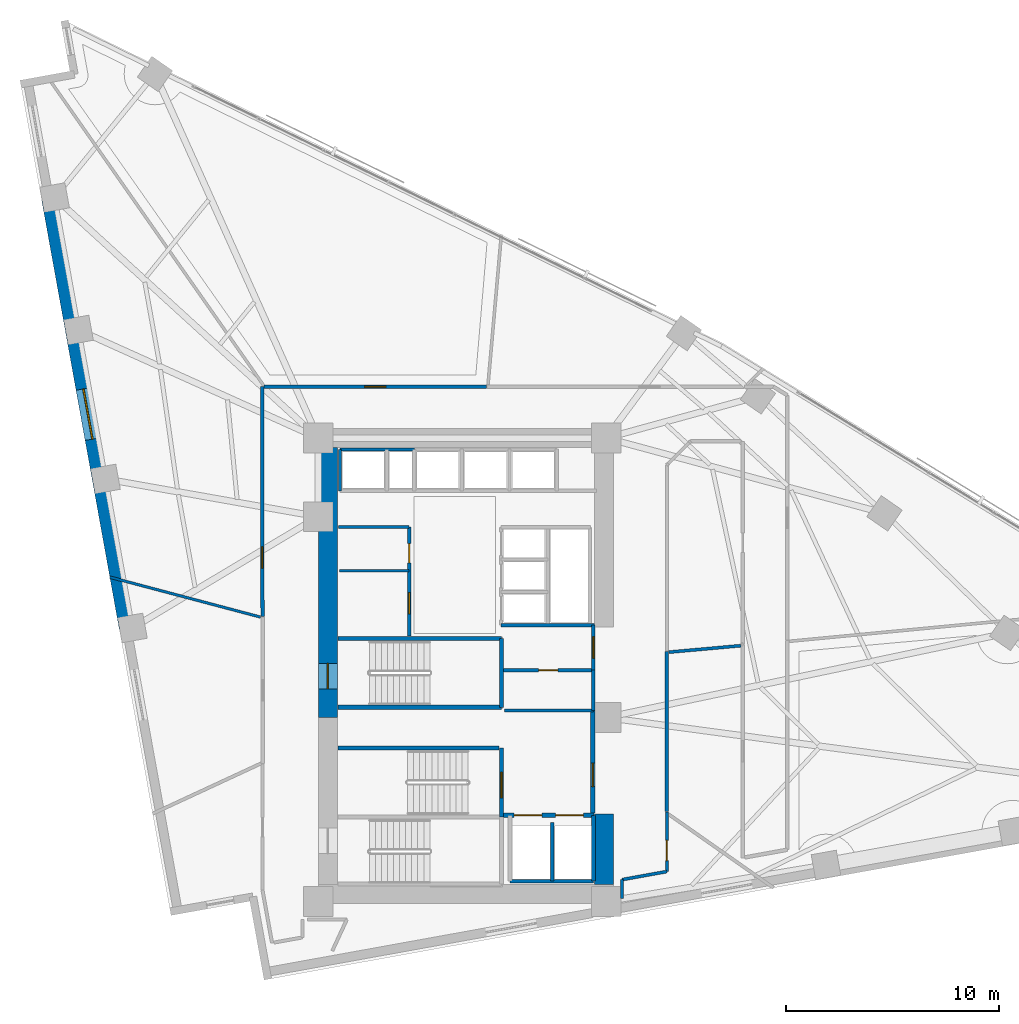
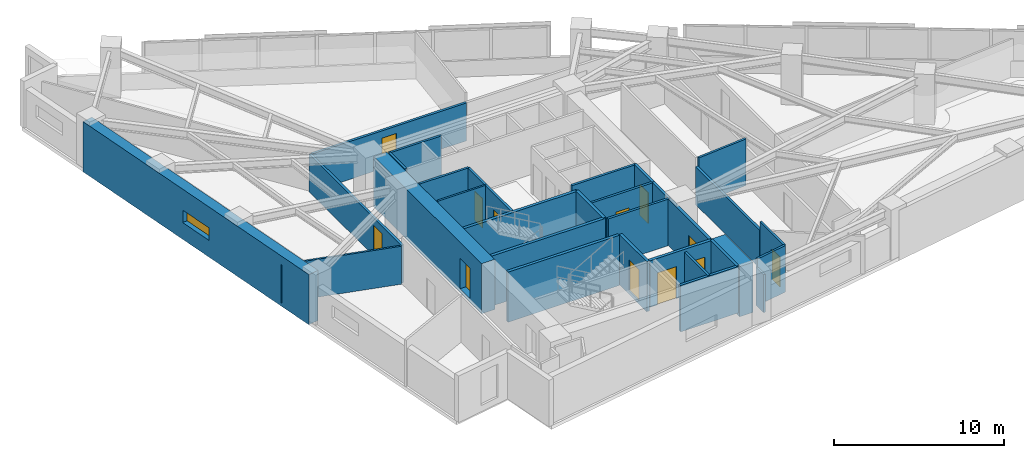
# One storey, part 13 of 18: 31 walls, 12 doors, 1 window, 13 openings.
"""IFC4 building model written with IfcOpenShell, lengths in metres."""

from ifc_helpers import new_model, si_unit, direction, frame, frame_2d, origin, place, context, subcontext, project, spatial, rectangle, extrude, material, layer, layer_set, type_object, element, fill, save


model = new_model("IFC4")

# Units and contexts
model_context = context("Model", 3, precision=1e-05, world=origin(), true_north=direction((0.0, 1.0)))
body_context = subcontext(model_context, "Body", "Model", "MODEL_VIEW")
ifc_project = project(units=[si_unit("LENGTHUNIT", "METRE"), si_unit("AREAUNIT", "SQUARE_METRE"), si_unit("VOLUMEUNIT", "CUBIC_METRE"), si_unit("PLANEANGLEUNIT", "RADIAN"), si_unit("MASSUNIT", "GRAM", prefix="KILO")], contexts=[model_context])

# Site, building, storey
site_placement = place(None, origin())
site = spatial("IfcSite", under=ifc_project, at=site_placement, CompositionType="ELEMENT")
building_placement = place(site_placement, origin())
building = spatial("IfcBuilding", under=site, at=building_placement, Name="Narakoshi Arena Tower", CompositionType="ELEMENT")
storey_placement = place(building_placement, frame((0.0, 0.0, 102.89990234375)))
storey = spatial("IfcBuildingStorey", under=building, at=storey_placement, Name="L27", CompositionType="ELEMENT", Elevation=102.89990234375)

# Wall
ifc_material_1 = material(Name="Concrete C60/75", Category="concrete")
ifc_layer_1 = layer(ifc_material_1, 0.89990234375)
ifc_layer_set_1 = layer_set([ifc_layer_1], Name="Concrete C60/75")
wall_type_1 = type_object("IfcWallType", Name="WL-CORE-900", PredefinedType="SHEAR", material=ifc_layer_set_1)
wall_1_placement = place(storey_placement, frame((85.449951171875, 35.5, -0.260009765625), z_axis=(0.0, 0.0, 1.0), x_axis=(0.0, 1.0, 0.0)))
element("IfcWall", 1, at=wall_1_placement, inside=storey, type_object=wall_type_1, Name="L27 Central Core Shear Wall CW-APX-E", PredefinedType="SHEAR", context=body_context, shape_type="SweptSolid", body=[
    extrude(rectangle(XDim=3.300048828125, YDim=0.89990234375, at=frame_2d((1.64990234375, 0.0))), origin(), (0.0, 0.0, 1.0), 3.60009765625),
])

# Wall, opening, door
wall_2_placement = place(storey_placement, frame((72.449951171875, 43.35009765625, -0.260009765625), z_axis=(0.0, 0.0, 1.0), x_axis=(0.0, 1.0, 0.0)))
wall_2 = element("IfcWall", 2, at=wall_2_placement, inside=storey, type_object=wall_type_1, Name="L27 Main Core Shear Wall CW-MN-W", PredefinedType="SHEAR", context=body_context, shape_type="SweptSolid", body=[
    extrude(rectangle(XDim=12.699951171875, YDim=0.89990234375, at=frame_2d((6.35009765625, 0.0))), origin(), (0.0, 0.0, 1.0), 3.60009765625),
])
opening_1_placement = place(wall_2_placement, frame((1.35009765625, 0.0, 0.260009765625)))
opening_1 = element("IfcOpeningElement", 3, at=opening_1_placement, cuts=wall_2, Name="Opening D-03", PredefinedType="OPENING", context=body_context, shape_type="SweptSolid", body=[
    extrude(rectangle(XDim=1.199951171875, YDim=2.199951171875, at=frame_2d((0.60009765625, 1.10009765625))), frame((0.0, 0.4599609375, 0.0), z_axis=(0.0, -1.0, 0.0), x_axis=(1.0, 0.0, 0.0)), (0.0, 0.0, 1.0), 0.919921875),
])
ifc_material_2 = material(Name="Painted galvanized steel", Category="steel")
door_type_1 = type_object("IfcDoorType", Name="DR-STR-1200", OperationType="NOTDEFINED", PredefinedType="USERDEFINED", material=ifc_material_2)
door_1_placement = place(opening_1_placement, frame((1.199951171875, 0.0, 0.0), z_axis=(0.0, 0.0, 1.0), x_axis=(-1.0, 0.0, 0.0)))
door_1 = element("IfcDoor", 4, at=door_1_placement, inside=storey, type_object=door_type_1, Name="DR-L27-007", ObjectType="EXITDOOR", OperationType="SINGLE_SWING_LEFT", OverallHeight=2.199951171875, OverallWidth=1.199951171875, PredefinedType="USERDEFINED", context=body_context, shape_type="SweptSolid", body=[
    extrude(rectangle(XDim=1.199951171875, YDim=2.199951171875, at=frame_2d((0.60009765625, 1.10009765625))), frame((0.0, 0.02490234375, 0.0), z_axis=(0.0, -1.0, 0.0), x_axis=(1.0, 0.0, 0.0)), (0.0, 0.0, 1.0), 0.050048828125),
])
fill(opening_1, door_1)

ifc_material_3 = material(Name="Gypsum plasterboard fire-rated partition")
ifc_layer_2 = layer(ifc_material_3, 0.1650390625)
ifc_layer_set_2 = layer_set([ifc_layer_2], Name="Gypsum plasterboard fire-rated partition")
wall_type_2 = type_object("IfcWallType", Name="WL-CORR-165", PredefinedType="PARTITIONING", material=ifc_layer_set_2)
wall_3_placement = place(storey_placement, frame((84.949951171875, 45.580078125, 0.0), z_axis=(0.0, 0.0, 1.0), x_axis=(0.0, 1.0, 0.0)))
wall_3 = element("IfcWall", 5, at=wall_3_placement, inside=storey, type_object=wall_type_2, Name="L27 Core Wall CPAS-E", PredefinedType="PARTITIONING", context=body_context, shape_type="SweptSolid", body=[
    extrude(rectangle(XDim=2.119873046875, YDim=0.1650390625, at=frame_2d((1.06005859375, 0.0))), origin(), (0.0, 0.0, 1.0), 3.340087890625),
])
opening_2_placement = place(wall_3_placement, frame((0.56005859375, 0.0, 0.0)))
opening_2 = element("IfcOpeningElement", 6, at=opening_2_placement, cuts=wall_3, Name="Opening D-06", PredefinedType="OPENING", context=body_context, shape_type="SweptSolid", body=[
    extrude(rectangle(XDim=1.0, YDim=2.199951171875, at=frame_2d((0.5, 1.10009765625))), frame((0.0, 0.092529296875, 0.0), z_axis=(0.0, -1.0, 0.0), x_axis=(1.0, 0.0, 0.0)), (0.0, 0.0, 1.0), 0.18505859375),
])
ifc_material_4 = material(Name="Stained oak solid-core timber", Category="wood")
door_type_2 = type_object("IfcDoorType", Name="DR-OFF-1000", OperationType="NOTDEFINED", PredefinedType="DOOR", material=ifc_material_4)
door_2_placement = place(opening_2_placement, frame((1.0, 0.0, 0.0), z_axis=(0.0, 0.0, 1.0), x_axis=(-1.0, 0.0, 0.0)))
door_2 = element("IfcDoor", 7, at=door_2_placement, inside=storey, type_object=door_type_2, Name="DR-L27-008", OperationType="SINGLE_SWING_LEFT", OverallHeight=2.199951171875, OverallWidth=1.0, PredefinedType="DOOR", context=body_context, shape_type="SweptSolid", body=[
    extrude(rectangle(XDim=1.0, YDim=2.199951171875, at=frame_2d((0.5, 1.10009765625))), frame((0.0, 0.02490234375, 0.0), z_axis=(0.0, -1.0, 0.0), x_axis=(1.0, 0.0, 0.0)), (0.0, 0.0, 1.0), 0.050048828125),
])
fill(opening_2, door_2)

# Wall
wall_4_placement = place(storey_placement, frame((88.39990234375, 38.929931640625, 0.0), z_axis=(0.0, 0.0, 1.0), x_axis=(0.0, 1.0, 0.0)))
element("IfcWall", 8, at=wall_4_placement, inside=storey, type_object=wall_type_2, Name="L27 Corridor Partition 04-3", PredefinedType="PARTITIONING", context=body_context, shape_type="SweptSolid", body=[
    extrude(rectangle(XDim=7.523193359375, YDim=0.1650390625, at=frame_2d((3.76171875, 0.0))), origin(), (0.0, 0.0, 1.0), 2.72509765625),
])

# Wall, opening, door
wall_5_placement = place(storey_placement, frame((79.918212890625, 58.9189453125, 0.0), z_axis=(0.0, 0.0, 1.0), x_axis=(-1.0, 0.0, 0.0)))
wall_5 = element("IfcWall", 9, at=wall_5_placement, inside=storey, type_object=wall_type_2, Name="L27 Corridor Partition 08-1", PredefinedType="PARTITIONING", context=body_context, shape_type="SweptSolid", body=[
    extrude(rectangle(XDim=10.481689453125, YDim=0.1650390625, at=frame_2d((5.24072265625, 0.0))), origin(), (0.0, 0.0, 1.0), 2.72509765625),
])
opening_3_placement = place(wall_5_placement, frame((4.74072265625, 0.0, 0.0)))
opening_3 = element("IfcOpeningElement", 10, at=opening_3_placement, cuts=wall_5, Name="Opening D-06", PredefinedType="OPENING", context=body_context, shape_type="SweptSolid", body=[
    extrude(rectangle(XDim=1.0, YDim=2.199951171875, at=frame_2d((0.5, 1.10009765625))), frame((0.0, 0.092529296875, 0.0), z_axis=(0.0, -1.0, 0.0), x_axis=(1.0, 0.0, 0.0)), (0.0, 0.0, 1.0), 0.18505859375),
])
door_3_placement = place(opening_3_placement, frame((1.0, 0.0, 0.0), z_axis=(0.0, 0.0, 1.0), x_axis=(-1.0, 0.0, 0.0)))
door_3 = element("IfcDoor", 11, at=door_3_placement, inside=storey, type_object=door_type_2, Name="DR-L27-022", OperationType="SINGLE_SWING_RIGHT", OverallHeight=2.199951171875, OverallWidth=1.0, PredefinedType="DOOR", context=body_context, shape_type="SweptSolid", body=[
    extrude(rectangle(XDim=1.0, YDim=2.199951171875, at=frame_2d((0.5, 1.10009765625))), frame((0.0, 0.02490234375, 0.0), z_axis=(0.0, -1.0, 0.0), x_axis=(1.0, 0.0, 0.0)), (0.0, 0.0, 1.0), 0.050048828125),
])
fill(opening_3, door_3)

wall_6_placement = place(storey_placement, frame((69.365478515625, 58.93408203125, 0.0), z_axis=(0.0, 0.0, 1.0), x_axis=(0.000992532953, -0.999999507439, 0.0)))
wall_6 = element("IfcWall", 12, at=wall_6_placement, inside=storey, type_object=wall_type_2, Name="L27 Corridor Partition 09-1", PredefinedType="PARTITIONING", context=body_context, shape_type="SweptSolid", body=[
    extrude(rectangle(XDim=10.822998046875, YDim=0.1650390625, at=frame_2d((5.41162109375, 0.0))), origin(), (0.0, 0.0, 1.0), 2.72509765625),
])
opening_4_placement = place(wall_6_placement, frame((7.5498046875, 0.0, 0.0)))
opening_4 = element("IfcOpeningElement", 13, at=opening_4_placement, cuts=wall_6, Name="Opening D-06", PredefinedType="OPENING", context=body_context, shape_type="SweptSolid", body=[
    extrude(rectangle(XDim=1.0, YDim=2.199951171875, at=frame_2d((0.5, 1.10009765625))), frame((0.0, 0.092529296875, 0.0), z_axis=(0.0, -1.0, 0.0), x_axis=(1.0, 0.0, 0.0)), (0.0, 0.0, 1.0), 0.18505859375),
])
door_4_placement = place(opening_4_placement, frame((1.0, 0.0, 0.0), z_axis=(0.0, 0.0, 1.0), x_axis=(-1.0, 0.0, 0.0)))
door_4 = element("IfcDoor", 14, at=door_4_placement, inside=storey, type_object=door_type_2, Name="DR-L27-023", OperationType="SINGLE_SWING_LEFT", OverallHeight=2.199951171875, OverallWidth=1.0, PredefinedType="DOOR", context=body_context, shape_type="SweptSolid", body=[
    extrude(rectangle(XDim=1.0, YDim=2.199951171875, at=frame_2d((0.5, 1.10009765625))), frame((0.0, 0.02490234375, 0.0), z_axis=(0.0, -1.0, 0.0), x_axis=(1.0, 0.0, 0.0)), (0.0, 0.0, 1.0), 0.050048828125),
])
fill(opening_4, door_4)

# Wall, opening, window
ifc_layer_3 = layer(ifc_material_1, 0.699951171875)
ifc_layer_set_3 = layer_set([ifc_layer_3], Name="Concrete C60/75")
wall_type_3 = type_object("IfcWallType", Name="WL-LEG-700", PredefinedType="SHEAR", material=ifc_layer_set_3)
wall_7_placement = place(storey_placement, frame((59.327880859375, 67.767822265625, -0.260009765625), z_axis=(0.0, 0.0, 1.0), x_axis=(0.177933213615, -0.984042565895, 0.0)))
wall_7 = element("IfcWall", 15, at=wall_7_placement, inside=storey, type_object=wall_type_3, Name="L27 Architectural Concrete Structural Wall LEGB-2", PredefinedType="SHEAR", context=body_context, shape_type="SweptSolid", body=[
    extrude(rectangle(XDim=20.57861328125, YDim=0.699951171875, at=frame_2d((10.289306640625, 0.0))), origin(), (0.0, 0.0, 1.0), 3.60009765625),
])
opening_5_placement = place(wall_7_placement, frame((9.10009765625, 0.0, 1.199951171875)))
opening_5 = element("IfcOpeningElement", 16, at=opening_5_placement, cuts=wall_7, Name="Opening WN-01", PredefinedType="OPENING", context=body_context, shape_type="SweptSolid", body=[
    extrude(rectangle(XDim=2.39990234375, YDim=0.89990234375, at=frame_2d((1.199951171875, 0.449951171875))), frame((0.0, 0.35986328125, 0.0), z_axis=(0.0, -1.0, 0.0), x_axis=(1.0, 0.0, 0.0)), (0.0, 0.0, 1.0), 0.719970703125),
])
ifc_material_5 = material(Name="Bronze-tinted low-E laminated glass", Category="glass")
window_type = type_object("IfcWindowType", Name="WIN-SLT-24x09", PartitioningType="SINGLE_PANEL", PredefinedType="WINDOW", material=ifc_material_5)
window_placement = place(opening_5_placement, origin())
window = element("IfcWindow", 17, at=window_placement, inside=storey, type_object=window_type, Name="L27 LEGB2 Horizontal Slot Window 1", OverallHeight=0.89990234375, OverallWidth=2.39990234375, PartitioningType="SINGLE_PANEL", PredefinedType="WINDOW", context=body_context, shape_type="SweptSolid", body=[
    extrude(rectangle(XDim=2.39990234375, YDim=0.89990234375, at=frame_2d((1.199951171875, 0.449951171875))), frame((0.0, 0.030029296875, 0.0), z_axis=(0.0, -1.0, 0.0), x_axis=(1.0, 0.0, 0.0)), (0.0, 0.0, 1.0), 0.06005859375),
])
fill(opening_5, window)

# Walls
ifc_layer_4 = layer(ifc_material_3, 0.125)
ifc_layer_set_4 = layer_set([ifc_layer_4], Name="Gypsum plasterboard fire-rated partition")
wall_type_4 = type_object("IfcWallType", Name="WL-PART-125", PredefinedType="PARTITIONING", material=ifc_layer_set_4)
wall_8_placement = place(storey_placement, frame((73.0, 50.25, 0.0), z_axis=(0.0, 0.0, 1.0), x_axis=(1.0, 0.0, 0.0)))
element("IfcWall", 18, at=wall_8_placement, inside=storey, type_object=wall_type_4, Name="L27 Core Wall RCL-LR-D2", PredefinedType="PARTITIONING", context=body_context, shape_type="SweptSolid", body=[
    extrude(rectangle(XDim=3.280029296875, YDim=0.125, at=frame_2d((1.64013671875, 0.0))), origin(), (0.0, 0.0, 1.0), 3.340087890625),
])
wall_9_placement = place(storey_placement, frame((62.193115234375, 49.955810546875, 0.0), z_axis=(0.0, 0.0, 1.0), x_axis=(0.966595902097, -0.256305212683, 0.0)))
element("IfcWall", 19, at=wall_9_placement, inside=storey, type_object=wall_type_4, Name="L27 Inter-Room Partition 01-09", PredefinedType="PARTITIONING", context=body_context, shape_type="SweptSolid", body=[
    extrude(rectangle(XDim=7.33349609375, YDim=0.125, at=frame_2d((3.666748046875, 0.0))), origin(), (0.0, 0.0, 1.0), 2.72509765625),
])
ifc_material_6 = material(Name="Concrete C40/50", Category="concrete")
ifc_layer_5 = layer(ifc_material_6, 0.280029296875)
ifc_layer_set_5 = layer_set([ifc_layer_5], Name="Concrete C40/50")
wall_type_5 = type_object("IfcWallType", Name="WL-RISER-280", PredefinedType="PLUMBINGWALL", material=ifc_layer_set_5)
wall_10_placement = place(storey_placement, frame((83.0, 35.64990234375, 0.0), z_axis=(0.0, 0.0, 1.0), x_axis=(0.0, 1.0, 0.0)))
element("IfcWall", 20, at=wall_10_placement, inside=storey, type_object=wall_type_5, Name="L27 Core Wall FF-DIV", PredefinedType="PLUMBINGWALL", context=body_context, shape_type="SweptSolid", body=[
    extrude(rectangle(XDim=2.75, YDim=0.159912109375, at=frame_2d((1.375, 0.0))), origin(), (0.0, 0.0, 1.0), 3.340087890625),
])
wall_11_placement = place(storey_placement, frame((84.949951171875, 43.679931640625, 0.0), z_axis=(0.0, 0.0, 1.0), x_axis=(0.0, 1.0, 0.0)))
element("IfcWall", 21, at=wall_11_placement, inside=storey, type_object=wall_type_5, Name="L27 Core Wall RSR-E", PredefinedType="PLUMBINGWALL", context=body_context, shape_type="SweptSolid", body=[
    extrude(rectangle(XDim=1.900146484375, YDim=0.1650390625, at=frame_2d((0.9501953125, 0.0))), origin(), (0.0, 0.0, 1.0), 3.340087890625),
])

# Wall, opening, door
wall_12_placement = place(storey_placement, frame((80.719970703125, 45.580078125, 0.0), z_axis=(0.0, 0.0, 1.0), x_axis=(1.0, 0.0, 0.0)))
wall_12 = element("IfcWall", 22, at=wall_12_placement, inside=storey, type_object=wall_type_5, Name="L27 Core Wall RSR-N", PredefinedType="PLUMBINGWALL", context=body_context, shape_type="SweptSolid", body=[
    extrude(rectangle(XDim=4.22998046875, YDim=0.159912109375, at=frame_2d((2.114990234375, 0.0))), origin(), (0.0, 0.0, 1.0), 3.340087890625),
])
opening_6_placement = place(wall_12_placement, frame((1.64990234375, 0.0, 0.0)))
opening_6 = element("IfcOpeningElement", 23, at=opening_6_placement, cuts=wall_12, Name="Opening D-08", PredefinedType="OPENING", context=body_context, shape_type="SweptSolid", body=[
    extrude(rectangle(XDim=0.89990234375, YDim=2.10009765625, at=frame_2d((0.449951171875, 1.050048828125))), frame((0.0, 0.08984375, 0.0), z_axis=(0.0, -1.0, 0.0), x_axis=(1.0, 0.0, 0.0)), (0.0, 0.0, 1.0), 0.179931640625),
])
ifc_material_7 = material(Name="Moisture-resistant laminate timber", Category="wood")
door_type_3 = type_object("IfcDoorType", Name="DR-WC-900", OperationType="NOTDEFINED", PredefinedType="DOOR", material=ifc_material_7)
door_5_placement = place(opening_6_placement, frame((0.89990234375, 0.0, 0.0), z_axis=(0.0, 0.0, 1.0), x_axis=(-1.0, 0.0, 0.0)))
door_5 = element("IfcDoor", 24, at=door_5_placement, inside=storey, type_object=door_type_3, Name="DR-L27-009", OperationType="SINGLE_SWING_LEFT", OverallHeight=2.10009765625, OverallWidth=0.89990234375, PredefinedType="DOOR", context=body_context, shape_type="SweptSolid", body=[
    extrude(rectangle(XDim=0.89990234375, YDim=2.10009765625, at=frame_2d((0.449951171875, 1.050048828125))), frame((0.0, 0.02490234375, 0.0), z_axis=(0.0, -1.0, 0.0), x_axis=(1.0, 0.0, 0.0)), (0.0, 0.0, 1.0), 0.050048828125),
])
fill(opening_6, door_5)

# Walls
wall_13_placement = place(storey_placement, frame((80.760009765625, 43.679931640625, 0.0), z_axis=(0.0, 0.0, 1.0), x_axis=(1.0, 0.0, 0.0)))
element("IfcWall", 25, at=wall_13_placement, inside=storey, type_object=wall_type_5, Name="L27 Core Wall RSR-S", PredefinedType="PLUMBINGWALL", context=body_context, shape_type="SweptSolid", body=[
    extrude(rectangle(XDim=4.18994140625, YDim=0.159912109375, at=frame_2d((2.094970703125, 0.0))), origin(), (0.0, 0.0, 1.0), 3.340087890625),
])
wall_14_placement = place(storey_placement, frame((73.02001953125, 54.02001953125, 0.0), z_axis=(0.0, 0.0, 1.0), x_axis=(0.0, 1.0, 0.0)))
element("IfcWall", 26, at=wall_14_placement, inside=storey, type_object=wall_type_5, Name="L27 Core Wall OBS-W", PredefinedType="PLUMBINGWALL", context=body_context, shape_type="SweptSolid", body=[
    extrude(rectangle(XDim=1.93994140625, YDim=0.14990234375, at=frame_2d((0.969970703125, 0.0))), origin(), (0.0, 0.0, 1.0), 3.340087890625),
])

# Wall, opening, door
ifc_material_8 = material(Name="Concrete C50/60", Category="concrete")
ifc_layer_6 = layer(ifc_material_8, 0.35009765625)
ifc_layer_set_6 = layer_set([ifc_layer_6], Name="Concrete C50/60")
wall_type_6 = type_object("IfcWallType", Name="WL-SHAFT-350", PredefinedType="SOLIDWALL", material=ifc_layer_set_6)
wall_15_placement = place(storey_placement, frame((80.6201171875, 38.675048828125, -0.260009765625), z_axis=(0.0, 0.0, 1.0), x_axis=(0.0, 1.0, 0.0)))
wall_15 = element("IfcWall", 27, at=wall_15_placement, inside=storey, type_object=wall_type_6, Name="L27 Core Wall ST2-E", PredefinedType="SOLIDWALL", context=body_context, shape_type="SweptSolid", body=[
    extrude(rectangle(XDim=3.244873046875, YDim=0.199951171875, at=frame_2d((1.62255859375, 0.0))), origin(), (0.0, 0.0, 1.0), 3.60009765625),
])
opening_7_placement = place(wall_15_placement, frame((0.89990234375, 0.0, 0.260009765625)))
opening_7 = element("IfcOpeningElement", 28, at=opening_7_placement, cuts=wall_15, Name="Opening D-03", PredefinedType="OPENING", context=body_context, shape_type="SweptSolid", body=[
    extrude(rectangle(XDim=1.199951171875, YDim=2.199951171875, at=frame_2d((0.60009765625, 1.10009765625))), frame((0.0, 0.10986328125, 0.0), z_axis=(0.0, -1.0, 0.0), x_axis=(1.0, 0.0, 0.0)), (0.0, 0.0, 1.0), 0.219970703125),
])
door_6_placement = place(opening_7_placement, origin())
door_6 = element("IfcDoor", 29, at=door_6_placement, inside=storey, type_object=door_type_1, Name="DR-L27-003", ObjectType="EXITDOOR", OperationType="SINGLE_SWING_RIGHT", OverallHeight=2.199951171875, OverallWidth=1.199951171875, PredefinedType="USERDEFINED", context=body_context, shape_type="SweptSolid", body=[
    extrude(rectangle(XDim=1.199951171875, YDim=2.199951171875, at=frame_2d((0.60009765625, 1.10009765625))), frame((0.0, 0.02490234375, 0.0), z_axis=(0.0, -1.0, 0.0), x_axis=(1.0, 0.0, 0.0)), (0.0, 0.0, 1.0), 0.050048828125),
])
fill(opening_7, door_6)

# Wall, openings, doors
wall_16_placement = place(storey_placement, frame((80.719970703125, 38.75, 0.0), z_axis=(0.0, 0.0, 1.0), x_axis=(1.0, 0.0, 0.0)))
wall_16 = element("IfcWall", 30, at=wall_16_placement, inside=storey, type_object=wall_type_6, Name="L27 Core Wall FF-N", PredefinedType="SOLIDWALL", context=body_context, shape_type="SweptSolid", body=[
    extrude(rectangle(XDim=4.260009765625, YDim=0.199951171875, at=frame_2d((2.1298828125, 0.0))), origin(), (0.0, 0.0, 1.0), 3.340087890625),
])
opening_8_placement = place(wall_16_placement, frame((0.5, 0.0, 0.0)))
opening_8 = element("IfcOpeningElement", 31, at=opening_8_placement, cuts=wall_16, Name="Opening LD-02", PredefinedType="OPENING", context=body_context, shape_type="SweptSolid", body=[
    extrude(rectangle(XDim=1.300048828125, YDim=2.300048828125, at=frame_2d((0.64990234375, 1.14990234375))), frame((0.0, 0.10986328125, 0.0), z_axis=(0.0, -1.0, 0.0), x_axis=(1.0, 0.0, 0.0)), (0.0, 0.0, 1.0), 0.219970703125),
])
opening_9_placement = place(wall_16_placement, frame((2.449951171875, 0.0, 0.0)))
opening_9 = element("IfcOpeningElement", 32, at=opening_9_placement, cuts=wall_16, Name="Opening LD-02", PredefinedType="OPENING", context=body_context, shape_type="SweptSolid", body=[
    extrude(rectangle(XDim=1.300048828125, YDim=2.300048828125, at=frame_2d((0.64990234375, 1.14990234375))), frame((0.0, 0.10986328125, 0.0), z_axis=(0.0, -1.0, 0.0), x_axis=(1.0, 0.0, 0.0)), (0.0, 0.0, 1.0), 0.219970703125),
])
ifc_material_9 = material(Name="Brushed bronze stainless steel", Category="steel")
door_type_4 = type_object("IfcDoorType", Name="DR-LFT-1300", OperationType="DOUBLE_DOOR_SLIDING", PredefinedType="DOOR", material=ifc_material_9)
door_7_placement = place(opening_8_placement, origin())
door_7 = element("IfcDoor", 33, at=door_7_placement, inside=storey, type_object=door_type_4, Name="DR-L27-004", OperationType="DOUBLE_DOOR_SLIDING", OverallHeight=2.300048828125, OverallWidth=1.300048828125, PredefinedType="DOOR", context=body_context, shape_type="SweptSolid", body=[
    extrude(rectangle(XDim=1.300048828125, YDim=2.300048828125, at=frame_2d((0.64990234375, 1.14990234375))), frame((0.0, 0.02490234375, 0.0), z_axis=(0.0, -1.0, 0.0), x_axis=(1.0, 0.0, 0.0)), (0.0, 0.0, 1.0), 0.050048828125),
])
fill(opening_8, door_7)
door_8_placement = place(opening_9_placement, origin())
door_8 = element("IfcDoor", 34, at=door_8_placement, inside=storey, type_object=door_type_4, Name="DR-L27-005", OperationType="DOUBLE_DOOR_SLIDING", OverallHeight=2.300048828125, OverallWidth=1.300048828125, PredefinedType="DOOR", context=body_context, shape_type="SweptSolid", body=[
    extrude(rectangle(XDim=1.300048828125, YDim=2.300048828125, at=frame_2d((0.64990234375, 1.14990234375))), frame((0.0, 0.02490234375, 0.0), z_axis=(0.0, -1.0, 0.0), x_axis=(1.0, 0.0, 0.0)), (0.0, 0.0, 1.0), 0.050048828125),
])
fill(opening_9, door_8)

# Walls
wall_17_placement = place(storey_placement, frame((84.949951171875, 35.64990234375, 0.0), z_axis=(0.0, 0.0, 1.0), x_axis=(0.0, 1.0, 0.0)))
element("IfcWall", 35, at=wall_17_placement, inside=storey, type_object=wall_type_6, Name="L27 Core Wall FF-E", PredefinedType="SOLIDWALL", context=body_context, shape_type="SweptSolid", body=[
    extrude(rectangle(XDim=3.10009765625, YDim=0.179931640625, at=frame_2d((1.550048828125, 0.0))), origin(), (0.0, 0.0, 1.0), 3.340087890625),
])
wall_18_placement = place(storey_placement, frame((81.02001953125, 35.64990234375, 0.0), z_axis=(0.0, 0.0, 1.0), x_axis=(1.0, 0.0, 0.0)))
element("IfcWall", 36, at=wall_18_placement, inside=storey, type_object=wall_type_6, Name="L27 Core Wall FF-S", PredefinedType="SOLIDWALL", context=body_context, shape_type="SweptSolid", body=[
    extrude(rectangle(XDim=3.929931640625, YDim=0.179931640625, at=frame_2d((1.96484375, 0.0))), origin(), (0.0, 0.0, 1.0), 3.340087890625),
])

# Wall, opening, door
wall_19_placement = place(storey_placement, frame((84.919921875, 38.85009765625, 0.0), z_axis=(0.0, 0.0, 1.0), x_axis=(0.0, 1.0, 0.0)))
wall_19 = element("IfcWall", 37, at=wall_19_placement, inside=storey, type_object=wall_type_6, Name="L27 Core Wall FFLOB-E", PredefinedType="SOLIDWALL", context=body_context, shape_type="SweptSolid", body=[
    extrude(rectangle(XDim=4.829833984375, YDim=0.199951171875, at=frame_2d((2.4150390625, 0.0))), origin(), (0.0, 0.0, 1.0), 3.340087890625),
])
opening_10_placement = place(wall_19_placement, frame((1.25, 0.0, 0.0)))
opening_10 = element("IfcOpeningElement", 38, at=opening_10_placement, cuts=wall_19, Name="Opening D-04", PredefinedType="OPENING", context=body_context, shape_type="SweptSolid", body=[
    extrude(rectangle(XDim=1.10009765625, YDim=2.199951171875, at=frame_2d((0.550048828125, 1.10009765625))), frame((0.0, 0.10986328125, 0.0), z_axis=(0.0, -1.0, 0.0), x_axis=(1.0, 0.0, 0.0)), (0.0, 0.0, 1.0), 0.219970703125),
])
door_type_5 = type_object("IfcDoorType", Name="DR-FFL-1100", OperationType="NOTDEFINED", PredefinedType="DOOR", material=ifc_material_2)
door_9_placement = place(opening_10_placement, frame((1.10009765625, 0.0, 0.0), z_axis=(0.0, 0.0, 1.0), x_axis=(-1.0, 0.0, 0.0)))
door_9 = element("IfcDoor", 39, at=door_9_placement, inside=storey, type_object=door_type_5, Name="DR-L27-006", OperationType="SINGLE_SWING_RIGHT", OverallHeight=2.199951171875, OverallWidth=1.10009765625, PredefinedType="DOOR", context=body_context, shape_type="SweptSolid", body=[
    extrude(rectangle(XDim=1.10009765625, YDim=2.199951171875, at=frame_2d((0.550048828125, 1.10009765625))), frame((0.0, 0.02490234375, 0.0), z_axis=(0.0, -1.0, 0.0), x_axis=(1.0, 0.0, 0.0)), (0.0, 0.0, 1.0), 0.050048828125),
])
fill(opening_10, door_9)

# Walls
wall_20_placement = place(storey_placement, frame((72.919921875, 41.919921875, -0.260009765625), z_axis=(0.0, 0.0, 1.0), x_axis=(1.0, 0.0, 0.0)))
element("IfcWall", 40, at=wall_20_placement, inside=storey, type_object=wall_type_6, Name="L27 Core Wall ST2-N", PredefinedType="SOLIDWALL", context=body_context, shape_type="SweptSolid", body=[
    extrude(rectangle(XDim=7.580078125, YDim=0.199951171875, at=frame_2d((3.7900390625, 0.0))), origin(), (0.0, 0.0, 1.0), 3.60009765625),
])
for number, where, z_axis, x_axis, name in (
    (41, (72.919921875, 43.830078125, -0.260009765625), (0.0, 0.0, 1.0), (1.0, 0.0, 0.0), "L27 Core Wall ST3-S"),
    (42, (72.919921875, 47.070068359375, -0.260009765625), (0.0, 0.0, 1.0), (1.0, 0.0, 0.0), "L27 Core Wall ST3-N"),
):
    element("IfcWall", number, at=place(storey_placement, frame(where, z_axis=z_axis, x_axis=x_axis)), inside=storey, type_object=wall_type_6, Name=name, PredefinedType="SOLIDWALL", context=body_context, shape_type="SweptSolid", body=[
        extrude(rectangle(XDim=7.7001953125, YDim=0.199951171875, at=frame_2d((3.85009765625, 0.0))), origin(), (0.0, 0.0, 1.0), 3.60009765625),
    ])
wall_21_placement = place(storey_placement, frame((80.6201171875, 43.830078125, -0.260009765625), z_axis=(0.0, 0.0, 1.0), x_axis=(0.0, 1.0, 0.0)))
element("IfcWall", 43, at=wall_21_placement, inside=storey, type_object=wall_type_6, Name="L27 Core Wall ST3-E", PredefinedType="SOLIDWALL", context=body_context, shape_type="SweptSolid", body=[
    extrude(rectangle(XDim=3.239990234375, YDim=0.199951171875, at=frame_2d((1.6201171875, 0.0))), origin(), (0.0, 0.0, 1.0), 3.60009765625),
])

# Wall, openings, doors
wall_22_placement = place(storey_placement, frame((76.280029296875, 47.179931640625, 0.0), z_axis=(0.0, 0.0, 1.0), x_axis=(0.0, 1.0, 0.0)))
wall_22 = element("IfcWall", 44, at=wall_22_placement, inside=storey, type_object=wall_type_6, Name="L27 Core Wall LR-E", PredefinedType="SOLIDWALL", context=body_context, shape_type="SweptSolid", body=[
    extrude(rectangle(XDim=5.14013671875, YDim=0.159912109375, at=frame_2d((2.570068359375, 0.0))), origin(), (0.0, 0.0, 1.0), 3.340087890625),
])
opening_11_placement = place(wall_22_placement, frame((1.050048828125, 0.0, 0.0)))
opening_11 = element("IfcOpeningElement", 45, at=opening_11_placement, cuts=wall_22, Name="Opening D-06", PredefinedType="OPENING", context=body_context, shape_type="SweptSolid", body=[
    extrude(rectangle(XDim=1.0, YDim=2.199951171875, at=frame_2d((0.5, 1.10009765625))), frame((0.0, 0.08984375, 0.0), z_axis=(0.0, -1.0, 0.0), x_axis=(1.0, 0.0, 0.0)), (0.0, 0.0, 1.0), 0.179931640625),
])
opening_12_placement = place(wall_22_placement, frame((3.449951171875, 0.0, 0.0)))
opening_12 = element("IfcOpeningElement", 46, at=opening_12_placement, cuts=wall_22, Name="Opening D-08", PredefinedType="OPENING", context=body_context, shape_type="SweptSolid", body=[
    extrude(rectangle(XDim=0.89990234375, YDim=2.10009765625, at=frame_2d((0.449951171875, 1.050048828125))), frame((0.0, 0.08984375, 0.0), z_axis=(0.0, -1.0, 0.0), x_axis=(1.0, 0.0, 0.0)), (0.0, 0.0, 1.0), 0.179931640625),
])
door_10_placement = place(opening_11_placement, frame((1.0, 0.0, 0.0), z_axis=(0.0, 0.0, 1.0), x_axis=(-1.0, 0.0, 0.0)))
door_10 = element("IfcDoor", 47, at=door_10_placement, inside=storey, type_object=door_type_2, Name="DR-L27-010", OperationType="SINGLE_SWING_RIGHT", OverallHeight=2.199951171875, OverallWidth=1.0, PredefinedType="DOOR", context=body_context, shape_type="SweptSolid", body=[
    extrude(rectangle(XDim=1.0, YDim=2.199951171875, at=frame_2d((0.5, 1.10009765625))), frame((0.0, 0.02490234375, 0.0), z_axis=(0.0, -1.0, 0.0), x_axis=(1.0, 0.0, 0.0)), (0.0, 0.0, 1.0), 0.050048828125),
])
fill(opening_11, door_10)
door_11_placement = place(opening_12_placement, frame((0.89990234375, 0.0, 0.0), z_axis=(0.0, 0.0, 1.0), x_axis=(-1.0, 0.0, 0.0)))
door_11 = element("IfcDoor", 48, at=door_11_placement, inside=storey, type_object=door_type_3, Name="DR-L27-011", OperationType="SINGLE_SWING_LEFT", OverallHeight=2.10009765625, OverallWidth=0.89990234375, PredefinedType="DOOR", context=body_context, shape_type="SweptSolid", body=[
    extrude(rectangle(XDim=0.89990234375, YDim=2.10009765625, at=frame_2d((0.449951171875, 1.050048828125))), frame((0.0, 0.02490234375, 0.0), z_axis=(0.0, -1.0, 0.0), x_axis=(1.0, 0.0, 0.0)), (0.0, 0.0, 1.0), 0.050048828125),
])
fill(opening_12, door_11)

# Walls
wall_23_placement = place(storey_placement, frame((72.949951171875, 52.320068359375, 0.0), z_axis=(0.0, 0.0, 1.0), x_axis=(1.0, 0.0, 0.0)))
element("IfcWall", 49, at=wall_23_placement, inside=storey, type_object=wall_type_6, Name="L27 Core Wall LR-N", PredefinedType="SOLIDWALL", context=body_context, shape_type="SweptSolid", body=[
    extrude(rectangle(XDim=3.330078125, YDim=0.14990234375, at=frame_2d((1.6650390625, 0.0))), origin(), (0.0, 0.0, 1.0), 3.340087890625),
])
wall_24_placement = place(storey_placement, frame((80.60009765625, 47.699951171875, 0.0), z_axis=(0.0, 0.0, 1.0), x_axis=(1.0, 0.0, 0.0)))
element("IfcWall", 50, at=wall_24_placement, inside=storey, type_object=wall_type_6, Name="L27 Core Wall MR-S", PredefinedType="SOLIDWALL", context=body_context, shape_type="SweptSolid", body=[
    extrude(rectangle(XDim=4.39990234375, YDim=0.159912109375, at=frame_2d((2.199951171875, 0.0))), origin(), (0.0, 0.0, 1.0), 3.340087890625),
])
wall_25_placement = place(storey_placement, frame((73.02001953125, 55.9599609375, 0.0), z_axis=(0.0, 0.0, 1.0), x_axis=(1.0, 0.0, 0.0)))
element("IfcWall", 51, at=wall_25_placement, inside=storey, type_object=wall_type_6, Name="L27 Core Wall OBS-N", PredefinedType="SOLIDWALL", context=body_context, shape_type="SweptSolid", body=[
    extrude(rectangle(XDim=3.5, YDim=0.14990234375, at=frame_2d((1.75, 0.0))), origin(), (0.0, 0.0, 1.0), 3.340087890625),
])

# Wall, opening, door
ifc_material_10 = material(Name="Moisture-resistant cement-board partition")
ifc_layer_7 = layer(ifc_material_10, 0.14501953125)
ifc_layer_set_7 = layer_set([ifc_layer_7], Name="Moisture-resistant cement-board partition")
wall_type_7 = type_object("IfcWallType", Name="WL-WET-145", PredefinedType="PARTITIONING", material=ifc_layer_set_7)
wall_26_placement = place(storey_placement, frame((88.39990234375, 36.10400390625, 0.0), z_axis=(0.0, 0.0, 1.0), x_axis=(0.0, 1.0, 0.0)))
wall_26 = element("IfcWall", 52, at=wall_26_placement, inside=storey, type_object=wall_type_7, Name="L27 Corridor Partition 03-1", PredefinedType="PARTITIONING", context=body_context, shape_type="SweptSolid", body=[
    extrude(rectangle(XDim=2.796875, YDim=0.14501953125, at=frame_2d((1.3984375, 0.0))), origin(), (0.0, 0.0, 1.0), 3.340087890625),
])
opening_13_placement = place(wall_26_placement, frame((0.518310546875, 0.0, 0.0)))
opening_13 = element("IfcOpeningElement", 53, at=opening_13_placement, cuts=wall_26, Name="Opening D-07", PredefinedType="OPENING", context=body_context, shape_type="SweptSolid", body=[
    extrude(rectangle(XDim=0.949951171875, YDim=2.14990234375, at=frame_2d((0.47509765625, 1.074951171875))), frame((0.0, 0.08251953125, 0.0), z_axis=(0.0, -1.0, 0.0), x_axis=(1.0, 0.0, 0.0)), (0.0, 0.0, 1.0), 0.1650390625),
])
door_type_6 = type_object("IfcDoorType", Name="DR-ACC-950", OperationType="NOTDEFINED", PredefinedType="DOOR", material=ifc_material_4)
door_12_placement = place(opening_13_placement, frame((0.949951171875, 0.0, 0.0), z_axis=(0.0, 0.0, 1.0), x_axis=(-1.0, 0.0, 0.0)))
door_12 = element("IfcDoor", 54, at=door_12_placement, inside=storey, type_object=door_type_6, Name="DR-L27-017", OperationType="SINGLE_SWING_LEFT", OverallHeight=2.14990234375, OverallWidth=0.949951171875, PredefinedType="DOOR", context=body_context, shape_type="SweptSolid", body=[
    extrude(rectangle(XDim=0.949951171875, YDim=2.14990234375, at=frame_2d((0.47509765625, 1.074951171875))), frame((0.0, 0.02490234375, 0.0), z_axis=(0.0, -1.0, 0.0), x_axis=(1.0, 0.0, 0.0)), (0.0, 0.0, 1.0), 0.050048828125),
])
fill(opening_13, door_12)

# Walls
wall_27_placement = place(storey_placement, frame((86.300048828125, 35.724365234375, 0.0), z_axis=(0.0, 0.0, 1.0), x_axis=(0.984046990905, 0.177908739781, 0.0)))
element("IfcWall", 55, at=wall_27_placement, inside=storey, type_object=wall_type_7, Name="L27 Corridor Partition 03-2", PredefinedType="PARTITIONING", context=body_context, shape_type="SweptSolid", body=[
    extrude(rectangle(XDim=2.1337890625, YDim=0.14501953125, at=frame_2d((1.06689453125, 0.0))), origin(), (0.0, 0.0, 1.0), 3.340087890625),
])
wall_28_placement = place(storey_placement, frame((88.494384765625, 46.42578125, 0.0), z_axis=(0.0, 0.0, 1.0), x_axis=(0.995966482184, 0.089726062915, 0.0)))
element("IfcWall", 56, at=wall_28_placement, inside=storey, type_object=wall_type_7, Name="L27 Inter-Room Partition 04-06", PredefinedType="PARTITIONING", context=body_context, shape_type="SweptSolid", body=[
    extrude(rectangle(XDim=3.3984375, YDim=0.14501953125, at=frame_2d((1.69921875, 0.0))), origin(), (0.0, 0.0, 1.0), 3.340087890625),
])
wall_29_placement = place(storey_placement, frame((86.300048828125, 34.840087890625, 0.0), z_axis=(0.0, 0.0, 1.0), x_axis=(0.0, 1.0, 0.0)))
element("IfcWall", 57, at=wall_29_placement, inside=storey, type_object=wall_type_7, Name="L27 Room Enclosure Partition 03-1", PredefinedType="PARTITIONING", context=body_context, shape_type="SweptSolid", body=[
    extrude(rectangle(XDim=0.88427734375, YDim=0.14501953125, at=frame_2d((0.442138671875, 0.0))), origin(), (0.0, 0.0, 1.0), 2.72509765625),
])

save(model, "model.ifc")
